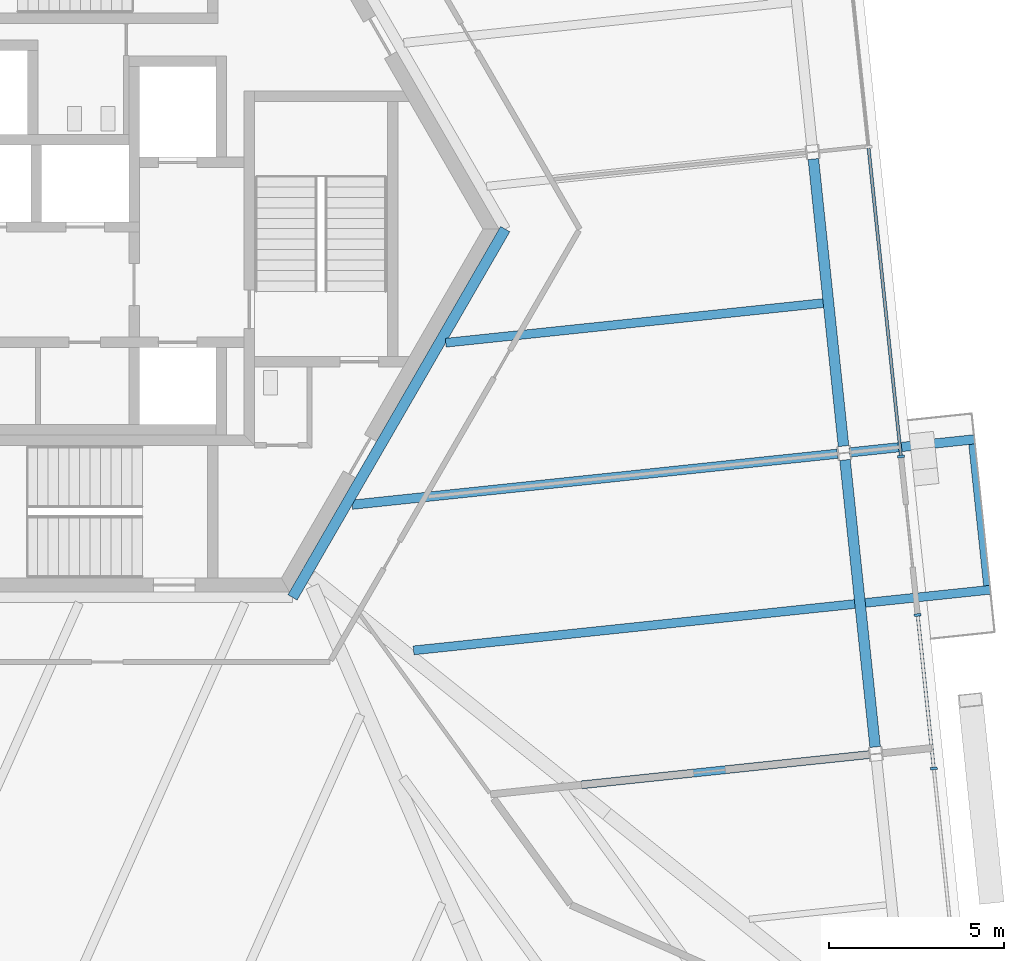
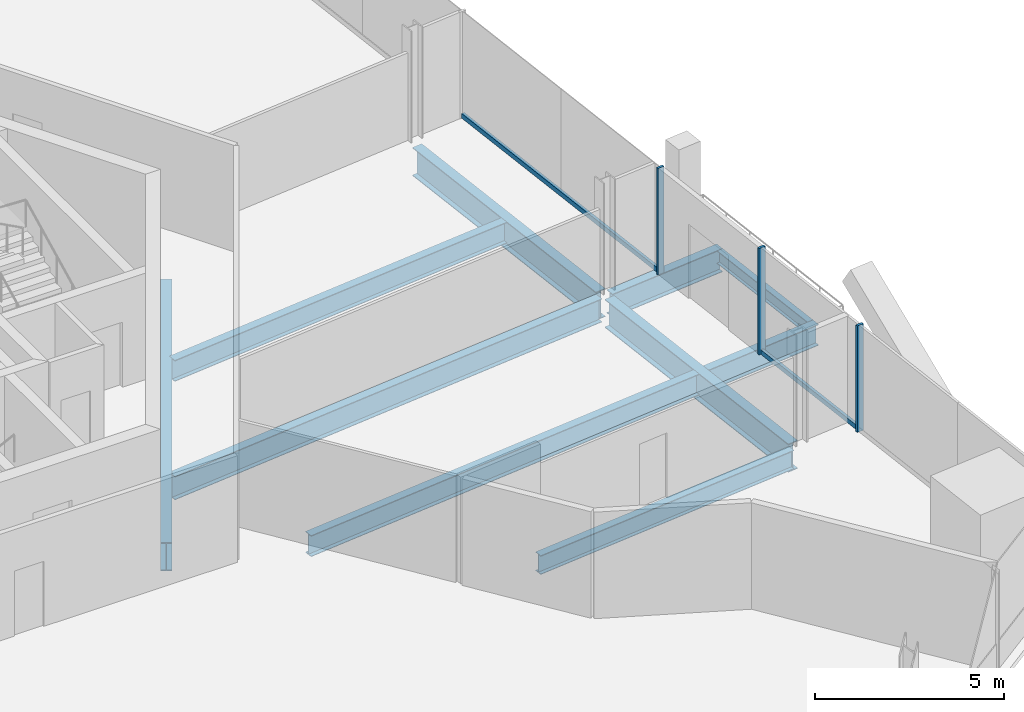
# One storey, part 6 of 17: 10 beams, 5 members, 2 elements without a shape of their own.
"""IFC4 building model written with IfcOpenShell, lengths in metres."""

from ifc_helpers import new_model, si_unit, direction, frame, origin, origin_2d, place, context, subcontext, project, spatial, rectangle, i_section, extrude, source, transform, mapped, material, material_profile, profile_set, type_object, element, aggregate, save


model = new_model("IFC4")

# Units and contexts
model_context = context("Model", 3, precision=1e-05, world=origin(), true_north=direction((0.0, 1.0)))
body_context = subcontext(model_context, "Body", "Model", "MODEL_VIEW")
ifc_project = project(units=[si_unit("LENGTHUNIT", "METRE"), si_unit("AREAUNIT", "SQUARE_METRE"), si_unit("VOLUMEUNIT", "CUBIC_METRE"), si_unit("PLANEANGLEUNIT", "RADIAN"), si_unit("MASSUNIT", "GRAM", prefix="KILO")], contexts=[model_context])

# Site, building, storey
site_placement = place(None, origin())
site = spatial("IfcSite", under=ifc_project, at=site_placement, CompositionType="ELEMENT")
building_placement = place(site_placement, origin())
building = spatial("IfcBuilding", under=site, at=building_placement, Name="Triune Harvest Tower", CompositionType="ELEMENT")
storey_placement = place(building_placement, frame((0.0, 0.0, 62.10009765625)))
storey = spatial("IfcBuildingStorey", under=building, at=storey_placement, Name="L14", CompositionType="ELEMENT", Elevation=62.10009765625)

# Beams
ifc_material_1 = material(Name="Steel ASTM A992 Gr 50", Category="steel")
ifc_material_profile_1 = material_profile(ifc_material_1, i_section(OverallWidth=0.3046875, OverallDepth=0.914306640625, WebThickness=0.0166015625, FlangeThickness=0.02587890625, at=origin_2d()), Name="W36x160")
ifc_profile_set_1 = profile_set([ifc_material_profile_1], Name="Steel ASTM A992 Gr 50")
beam_type_1 = type_object("IfcBeamType", Name="CG-1 Core ring girder W36x160", PredefinedType="BEAM", material=ifc_profile_set_1)
shared_shape_1 = source(origin(), body_context, "Body", "SweptSolid", [
    extrude(i_section(OverallWidth=0.3046875, OverallDepth=0.914306640625, WebThickness=0.0166015625, FlangeThickness=0.02587890625, at=origin_2d()), origin(), (0.0, 0.0, 1.0), 12.176025390625),
])
beam_1_placement = place(storey_placement, frame((6.087890625, -10.544677734375, -0.6171875), z_axis=(0.5000099932, 0.866019634131, 0.0), x_axis=(-0.866019634131, 0.5000099932, 0.0)))
element("IfcBeam", 1, at=beam_1_placement, inside=storey, type_object=beam_type_1, Name="beam/L14/CG6", PredefinedType="BEAM", context=body_context, shape_type="MappedRepresentation", body=[
    mapped(shared_shape_1, transform((0.0, 0.0, 0.0), scale=1.0)),
])
ifc_material_2 = material(Name="Steel ASTM A992 Gr 50", Category="steel")
ifc_material_profile_2 = material_profile(ifc_material_2, i_section(OverallWidth=0.3046875, OverallDepth=0.914306640625, WebThickness=0.0166015625, FlangeThickness=0.02587890625, at=origin_2d()), Name="W36x160")
ifc_profile_set_2 = profile_set([ifc_material_profile_2], Name="Steel ASTM A992 Gr 50")
beam_type_2 = type_object("IfcBeamType", Name="SB-1 Spandrel beam W36x160", PredefinedType="SPANDREL", material=ifc_profile_set_2)
shared_shape_2 = source(origin(), body_context, "Body", "SweptSolid", [
    extrude(i_section(OverallWidth=0.3046875, OverallDepth=0.914306640625, WebThickness=0.0166015625, FlangeThickness=0.02587890625, at=origin_2d()), origin(), (0.0, 0.0, 1.0), 8.26318359375),
])
beam_2_placement = place(storey_placement, frame((22.76708984375, -14.826416015625, -0.6171875), z_axis=(-0.104530986234, 0.994521630191, 0.0), x_axis=(-0.994521630191, -0.104530986234, 0.0)))
element("IfcBeam", 2, at=beam_2_placement, inside=storey, type_object=beam_type_2, Name="beam/L14/SB2", PredefinedType="SPANDREL", context=body_context, shape_type="MappedRepresentation", body=[
    mapped(shared_shape_2, transform((0.0, 0.0, 0.0), scale=1.0)),
])
shared_shape_3 = source(origin(), body_context, "Body", "SweptSolid", [
    extrude(i_section(OverallWidth=0.3046875, OverallDepth=0.914306640625, WebThickness=0.0166015625, FlangeThickness=0.02587890625, at=origin_2d()), origin(), (0.0, 0.0, 1.0), 8.263427734375),
])
beam_3_placement = place(storey_placement, frame((21.861572265625, -6.211669921875, -0.6171875), z_axis=(-0.104527914852, 0.994521953009, 0.0), x_axis=(-0.994521953009, -0.104527914852, 0.0)))
element("IfcBeam", 3, at=beam_3_placement, inside=storey, type_object=beam_type_2, Name="beam/L14/SB3", PredefinedType="SPANDREL", context=body_context, shape_type="MappedRepresentation", body=[
    mapped(shared_shape_3, transform((0.0, 0.0, 0.0), scale=1.0)),
])
ifc_material_3 = material(Name="Steel ASTM A992 Gr 50", Category="steel")
ifc_material_profile_3 = material_profile(ifc_material_3, i_section(OverallWidth=0.22900390625, OverallDepth=0.612060546875, WebThickness=0.011962890625, FlangeThickness=0.01953125, at=origin_2d()), Name="W24x84")
ifc_profile_set_3 = profile_set([ifc_material_profile_3], Name="Steel ASTM A992 Gr 50")
beam_type_3 = type_object("IfcBeamType", Name="JT-3 Floor joist W24x84", PredefinedType="JOIST", material=ifc_profile_set_3)
shared_shape_4 = source(origin(), body_context, "Body", "SweptSolid", [
    extrude(i_section(OverallWidth=0.22900390625, OverallDepth=0.612060546875, WebThickness=0.011962890625, FlangeThickness=0.01953125, at=origin_2d()), origin(), (0.0, 0.0, 1.0), 8.28173828125),
])
beam_4_placement = place(storey_placement, frame((22.592041015625, -15.04541015625, -0.46630859375), z_axis=(-0.994521271652, -0.104534397358, 0.0), x_axis=(0.104534397358, -0.994521271652, 0.0)))
element("IfcBeam", 4, at=beam_4_placement, inside=storey, type_object=beam_type_3, Name="beam/L14/JT2", PredefinedType="JOIST", context=body_context, shape_type="MappedRepresentation", body=[
    mapped(shared_shape_4, transform((0.0, 0.0, 0.0), scale=1.0)),
])
ifc_material_4 = material(Name="Steel ASTM A992 Gr 50", Category="steel")
ifc_material_profile_4 = material_profile(ifc_material_4, i_section(OverallWidth=0.253662109375, OverallDepth=0.683349609375, WebThickness=0.012451171875, FlangeThickness=0.01904296875, at=origin_2d()), Name="W27x94")
ifc_profile_set_4 = profile_set([ifc_material_profile_4], Name="Steel ASTM A992 Gr 50")
beam_type_4 = type_object("IfcBeamType", Name="JT-4 Floor joist W27x94", PredefinedType="JOIST", material=ifc_profile_set_4)
shared_shape_5 = source(origin(), body_context, "Body", "SweptSolid", [
    extrude(i_section(OverallWidth=0.253662109375, OverallDepth=0.683349609375, WebThickness=0.012451171875, FlangeThickness=0.01904296875, at=origin_2d()), origin(), (0.0, 0.0, 1.0), 12.70166015625),
])
beam_5_placement = place(storey_placement, frame((22.18359375, -10.7333984375, -0.501708984375), z_axis=(-0.994522291469, -0.104524694556, 0.0), x_axis=(0.104524694556, -0.994522291469, 0.0)))
element("IfcBeam", 5, at=beam_5_placement, inside=storey, type_object=beam_type_4, Name="beam/L14/JT3", PredefinedType="JOIST", context=body_context, shape_type="MappedRepresentation", body=[
    mapped(shared_shape_5, transform((0.0, 0.0, 0.0), scale=1.0)),
])
ifc_material_5 = material(Name="Steel ASTM A992 Gr 50", Category="steel")
ifc_material_profile_5 = material_profile(ifc_material_5, i_section(OverallWidth=0.2666015625, OverallDepth=0.7568359375, WebThickness=0.013916015625, FlangeThickness=0.019287109375, at=origin_2d()), Name="W30x108")
ifc_profile_set_5 = profile_set([ifc_material_profile_5], Name="Steel ASTM A992 Gr 50")
beam_type_5 = type_object("IfcBeamType", Name="JT-5 Floor joist W30x108", PredefinedType="JOIST", material=ifc_profile_set_5)
shared_shape_6 = source(origin(), body_context, "Body", "SweptSolid", [
    extrude(i_section(OverallWidth=0.2666015625, OverallDepth=0.7568359375, WebThickness=0.013916015625, FlangeThickness=0.019287109375, at=origin_2d()), origin(), (0.0, 0.0, 1.0), 13.966552734375),
])
beam_6_placement = place(storey_placement, frame((21.6865234375, -6.4306640625, -0.53857421875), z_axis=(-0.994523349671, -0.104514625579, 0.0), x_axis=(0.104514625579, -0.994523349671, 0.0)))
element("IfcBeam", 6, at=beam_6_placement, inside=storey, type_object=beam_type_5, Name="beam/L14/JT4", PredefinedType="JOIST", context=body_context, shape_type="MappedRepresentation", body=[
    mapped(shared_shape_6, transform((0.0, 0.0, 0.0), scale=1.0)),
])
shared_shape_7 = source(origin(), body_context, "Body", "SweptSolid", [
    extrude(i_section(OverallWidth=0.253662109375, OverallDepth=0.683349609375, WebThickness=0.012451171875, FlangeThickness=0.01904296875, at=origin_2d()), origin(), (0.0, 0.0, 1.0), 10.864501953125),
])
beam_7_placement = place(storey_placement, frame((21.278076171875, -2.11865234375, -0.501708984375), z_axis=(-0.994523292564, -0.104515168984, 0.0), x_axis=(0.104515168984, -0.994523292564, 0.0)))
element("IfcBeam", 7, at=beam_7_placement, inside=storey, type_object=beam_type_4, Name="beam/L14/JT5", PredefinedType="JOIST", context=body_context, shape_type="MappedRepresentation", body=[
    mapped(shared_shape_7, transform((0.0, 0.0, 0.0), scale=1.0)),
])

# Curtain wall, members
ifc_material_6 = material(Name="Aluminium bronze anodised", Category="aluminium")
curtain_wall_type_1 = type_object("IfcCurtainWallType", Name="CW-10 Balcony window wall with insulated spandrel infill", PredefinedType="NOTDEFINED", material=ifc_material_6)
curtain_wall_1_placement = place(storey_placement, origin())
curtain_wall_1 = element("IfcCurtainWall", 8, at=curtain_wall_1_placement, inside=storey, type_object=curtain_wall_type_1, Name="CW-10 B2-F1 L14 run 1")
ifc_material_7 = material(Name="Aluminium bronze anodised", Category="aluminium")
ifc_material_profile_6 = material_profile(ifc_material_7, rectangle(XDim=0.199951171875, YDim=0.074951171875, at=origin_2d()), Name="MU-6 mullion 75 x 200")
ifc_profile_set_6 = profile_set([ifc_material_profile_6], Name="Aluminium bronze anodised")
member_type_1 = type_object("IfcMemberType", Name="MU-6 mullion 75 x 200", PredefinedType="MULLION", material=ifc_profile_set_6)
shared_shape_8 = source(origin(), body_context, "Body", "SweptSolid", [
    extrude(rectangle(XDim=0.199951171875, YDim=0.074951171875, at=origin_2d()), origin(), (0.0, 0.0, 1.0), 3.43994140625),
])
member_1_placement = place(storey_placement, frame((24.44580078125, -15.441650390625, 0.0), z_axis=(0.0, 0.0, 1.0), x_axis=(-0.994521992769, -0.104527536558, 0.0)))
member_1 = element("IfcMember", 9, at=member_1_placement, type_object=member_type_1, Name="CW-10 mullion B2-F1 1.3", PredefinedType="MULLION", context=body_context, shape_type="MappedRepresentation", body=[
    mapped(shared_shape_8, transform((0.0, 0.0, 0.0), scale=1.0)),
])
member_2_placement = place(storey_placement, frame((23.98388671875, -11.0478515625, 0.0), z_axis=(0.0, 0.0, 1.0), x_axis=(-0.994521992769, -0.104527536558, 0.0)))
member_2 = element("IfcMember", 10, at=member_2_placement, type_object=member_type_1, Name="CW-10 mullion B2-F1 1.4", PredefinedType="MULLION", context=body_context, shape_type="MappedRepresentation", body=[
    mapped(shared_shape_8, transform((0.0, 0.0, 0.0), scale=1.0)),
])

# Curtain wall, member
ifc_material_8 = material(Name="Aluminium bronze anodised", Category="aluminium")
curtain_wall_type_2 = type_object("IfcCurtainWallType", Name="CW-6 Balcony window wall", PredefinedType="NOTDEFINED", material=ifc_material_8)
curtain_wall_2_placement = place(storey_placement, origin())
curtain_wall_2 = element("IfcCurtainWall", 11, at=curtain_wall_2_placement, inside=storey, type_object=curtain_wall_type_2, Name="CW-6 B2-F1 L14 run 2")
member_3_placement = place(storey_placement, frame((23.50732421875, -6.51220703125, 0.0), z_axis=(0.0, 0.0, 1.0), x_axis=(-0.994521992769, -0.104527536558, 0.0)))
member_3 = element("IfcMember", 12, at=member_3_placement, type_object=member_type_1, Name="CW-6 mullion B2-F1 2.1", PredefinedType="MULLION", context=body_context, shape_type="MappedRepresentation", body=[
    mapped(shared_shape_8, transform((0.0, 0.0, 0.0), scale=1.0)),
])

# Member
ifc_material_9 = material(Name="Aluminium bronze anodised", Category="aluminium")
ifc_material_profile_7 = material_profile(ifc_material_9, rectangle(XDim=0.090087890625, YDim=0.14990234375, at=origin_2d()), Name="TR-6 transom 90 x 150")
ifc_profile_set_7 = profile_set([ifc_material_profile_7], Name="Aluminium bronze anodised")
member_type_2 = type_object("IfcMemberType", Name="TR-6 transom 90 x 150", PredefinedType="USERDEFINED", material=ifc_profile_set_7)
shared_shape_9 = source(origin(), body_context, "Body", "SweptSolid", [
    extrude(rectangle(XDim=0.090087890625, YDim=0.14990234375, at=origin_2d()), origin(), (0.0, 0.0, 1.0), 4.34326171875),
])
member_4_placement = place(storey_placement, frame((24.44189453125, -15.404296875, 0.074951171875), z_axis=(-0.104556032951, 0.994518997291, 0.0), x_axis=(-0.994518997291, -0.104556032951, 0.0)))
member_4 = element("IfcMember", 13, at=member_4_placement, type_object=member_type_2, Name="CW-10 transom B2-F1 1.2", ObjectType="TRANSOM", PredefinedType="USERDEFINED", context=body_context, shape_type="MappedRepresentation", body=[
    mapped(shared_shape_9, transform((0.0, 0.0, 0.0), scale=1.0)),
])

aggregate(curtain_wall_1, [member_1, member_2, member_4])

# Beams
ifc_material_10 = material(Name="Steel ASTM A992 Gr 50", Category="steel")
ifc_material_profile_8 = material_profile(ifc_material_10, i_section(OverallWidth=0.253662109375, OverallDepth=0.683349609375, WebThickness=0.012451171875, FlangeThickness=0.01904296875, at=origin_2d()), Name="W27x94")
ifc_profile_set_8 = profile_set([ifc_material_profile_8], Name="Steel ASTM A992 Gr 50")
beam_type_6 = type_object("IfcBeamType", Name="BJ-4 Balcony cantilever joist W27x94", PredefinedType="JOIST", material=ifc_profile_set_8)
shared_shape_10 = source(origin(), body_context, "Body", "SweptSolid", [
    extrude(i_section(OverallWidth=0.253662109375, OverallDepth=0.683349609375, WebThickness=0.012451171875, FlangeThickness=0.01904296875, at=origin_2d()), origin(), (0.0, 0.0, 1.0), 3.59765625),
])
beam_8_placement = place(storey_placement, frame((22.48681640625, -10.701416015625, -0.501708984375), z_axis=(0.994524029685, 0.104508154604, 0.0), x_axis=(-0.104508154604, 0.994524029685, 0.0)))
element("IfcBeam", 14, at=beam_8_placement, inside=storey, type_object=beam_type_6, Name="Balcony cantilever joist B2-F1 L14.4a", PredefinedType="JOIST", context=body_context, shape_type="MappedRepresentation", body=[
    mapped(shared_shape_10, transform((0.0, 0.0, 0.0), scale=1.0)),
])
ifc_material_11 = material(Name="Steel ASTM A992 Gr 50", Category="steel")
ifc_material_profile_9 = material_profile(ifc_material_11, i_section(OverallWidth=0.2666015625, OverallDepth=0.7568359375, WebThickness=0.013916015625, FlangeThickness=0.019287109375, at=origin_2d()), Name="W30x108")
ifc_profile_set_9 = profile_set([ifc_material_profile_9], Name="Steel ASTM A992 Gr 50")
beam_type_7 = type_object("IfcBeamType", Name="BJ-5 Balcony cantilever joist W30x108", PredefinedType="JOIST", material=ifc_profile_set_9)
shared_shape_11 = source(origin(), body_context, "Body", "SweptSolid", [
    extrude(i_section(OverallWidth=0.2666015625, OverallDepth=0.7568359375, WebThickness=0.013916015625, FlangeThickness=0.019287109375, at=origin_2d()), origin(), (0.0, 0.0, 1.0), 3.59765625),
])
beam_9_placement = place(storey_placement, frame((22.033935546875, -6.39404296875, -0.53857421875), z_axis=(0.994524029685, 0.104508154604, 0.0), x_axis=(-0.104508154604, 0.994524029685, 0.0)))
element("IfcBeam", 15, at=beam_9_placement, inside=storey, type_object=beam_type_7, Name="Balcony cantilever joist B2-F1 L14.4b", PredefinedType="JOIST", context=body_context, shape_type="MappedRepresentation", body=[
    mapped(shared_shape_11, transform((0.0, 0.0, 0.0), scale=1.0)),
])
ifc_material_12 = material(Name="Steel ASTM A992 Gr 50", Category="steel")
ifc_material_profile_10 = material_profile(ifc_material_12, i_section(OverallWidth=0.180908203125, OverallDepth=0.41650390625, WebThickness=0.010986328125, FlangeThickness=0.01806640625, at=origin_2d()), Name="W16x57")
ifc_profile_set_10 = profile_set([ifc_material_profile_10], Name="Steel ASTM A992 Gr 50")
beam_type_8 = type_object("IfcBeamType", Name="BE-1 balcony edge beam W16x57", PredefinedType="BEAM", material=ifc_profile_set_10)
shared_shape_12 = source(origin(), body_context, "Body", "SweptSolid", [
    extrude(i_section(OverallWidth=0.180908203125, OverallDepth=0.41650390625, WebThickness=0.010986328125, FlangeThickness=0.01806640625, at=origin_2d()), origin(), (0.0, 0.0, 1.0), 4.07080078125),
])
beam_10_placement = place(storey_placement, frame((25.535888671875, -6.16015625, -0.368408203125), z_axis=(0.1045318127, -0.994521543323, 0.0), x_axis=(0.994521543323, 0.1045318127, 0.0)))
element("IfcBeam", 16, at=beam_10_placement, inside=storey, type_object=beam_type_8, Name="Balcony edge beam B2-F1 L14.4", PredefinedType="BEAM", context=body_context, shape_type="MappedRepresentation", body=[
    mapped(shared_shape_12, transform((0.0, 0.0, 0.0), scale=1.0)),
])

# Member
shared_shape_13 = source(origin(), body_context, "Body", "SweptSolid", [
    extrude(rectangle(XDim=0.090087890625, YDim=0.14990234375, at=origin_2d()), origin(), (0.0, 0.0, 1.0), 8.836181640625),
])
member_5_placement = place(storey_placement, frame((23.503173828125, -6.474853515625, 0.074951171875), z_axis=(-0.104522261316, 0.9945225472, 0.0), x_axis=(-0.9945225472, -0.104522261316, 0.0)))
member_5 = element("IfcMember", 17, at=member_5_placement, type_object=member_type_2, Name="CW-6 transom B2-F1 2.1", ObjectType="TRANSOM", PredefinedType="USERDEFINED", context=body_context, shape_type="MappedRepresentation", body=[
    mapped(shared_shape_13, transform((0.0, 0.0, 0.0), scale=1.0)),
])

aggregate(curtain_wall_2, [member_3, member_5])

save(model, "model.ifc")
